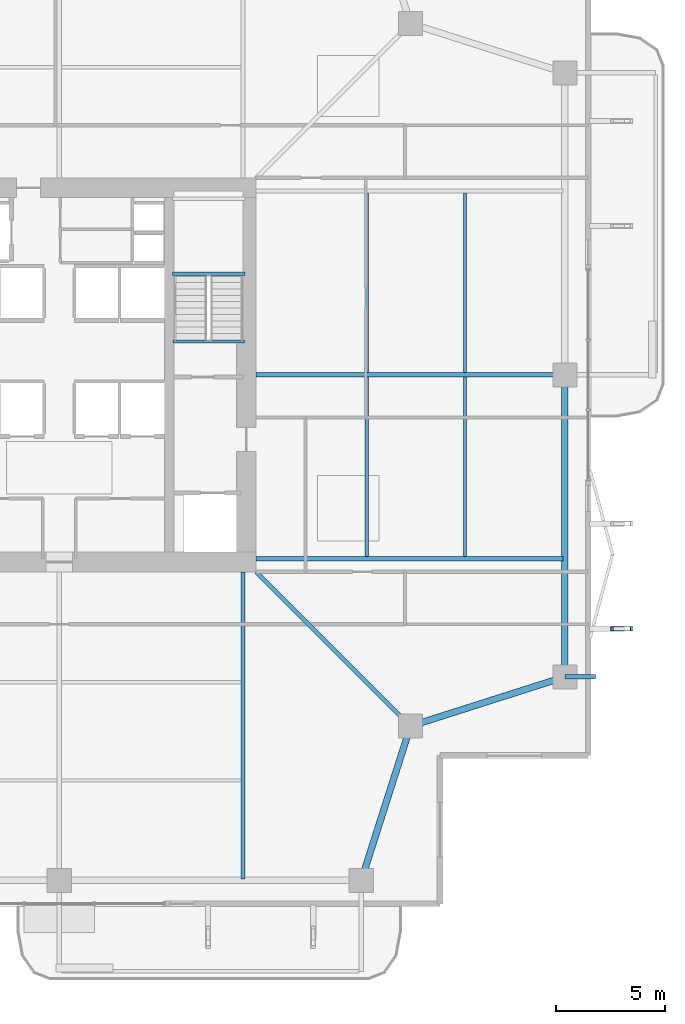
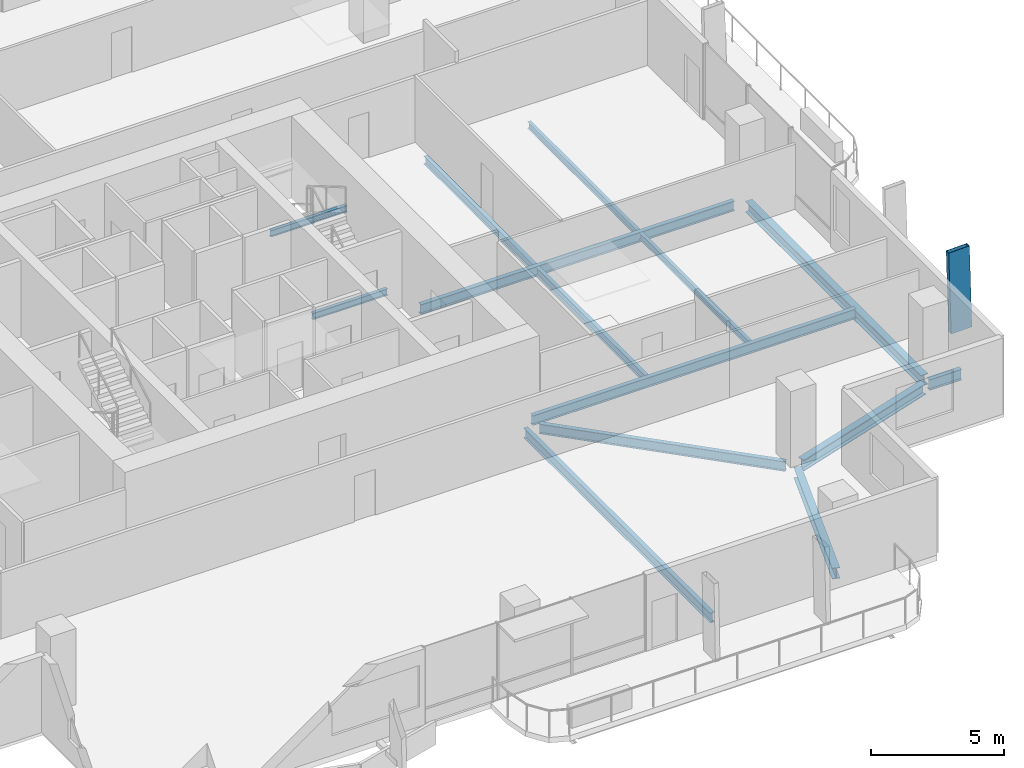
# One storey, part 9 of 25: 14 beams, 1 member.
"""IFC4 building model written with IfcOpenShell, lengths in metres."""

from ifc_helpers import new_model, si_unit, direction, frame, origin, origin_2d, place, context, subcontext, project, spatial, hollow_rectangle, i_section, extrude, material, material_profile, profile_set, type_object, element, save


model = new_model("IFC4")

# Units and contexts
model_context = context("Model", 3, precision=1e-05, world=origin(), true_north=direction((0.0, 1.0)))
body_context = subcontext(model_context, "Body", "Model", "MODEL_VIEW")
ifc_project = project(units=[si_unit("LENGTHUNIT", "METRE"), si_unit("AREAUNIT", "SQUARE_METRE"), si_unit("VOLUMEUNIT", "CUBIC_METRE"), si_unit("PLANEANGLEUNIT", "RADIAN"), si_unit("MASSUNIT", "GRAM", prefix="KILO")], contexts=[model_context])

# Site, building, storey
site_placement = place(None, origin())
site = spatial("IfcSite", under=ifc_project, at=site_placement, CompositionType="ELEMENT")
building_placement = place(site_placement, origin())
building = spatial("IfcBuilding", under=site, at=building_placement, Name="Belovzor Exchange Tower", CompositionType="ELEMENT")
storey_placement = place(building_placement, frame((0.0, 0.0, 153.300048828125)))
storey = spatial("IfcBuildingStorey", under=building, at=storey_placement, Name="L37", CompositionType="ELEMENT", Elevation=153.300048828125)

# Beams
ifc_material_1 = material(Name="Steel S355", Category="steel")
ifc_material_profile_1 = material_profile(ifc_material_1, i_section(OverallWidth=0.199951171875, OverallDepth=0.5, WebThickness=0.01025390625, FlangeThickness=0.01611328125, at=origin_2d()))
ifc_profile_set_1 = profile_set([ifc_material_profile_1], Name="Steel S355")
beam_type_1 = type_object("IfcBeamType", Name="Planted Balcony Cantilever Beam IPE 500", PredefinedType="BEAM", material=ifc_profile_set_1)
beam_1_placement = place(storey_placement, frame((51.89990234375, 15.0, -0.505126953125), z_axis=(1.0, 0.0, 0.0), x_axis=(0.0, 1.0, 0.0)))
element("IfcBeam", 1, at=beam_1_placement, inside=storey, type_object=beam_type_1, Name="BC-500 Planted Balcony Cantilever Beam IPE 500", PredefinedType="BEAM", context=body_context, shape_type="SweptSolid", body=[
    extrude(i_section(OverallWidth=0.199951171875, OverallDepth=0.5, WebThickness=0.01025390625, FlangeThickness=0.01611328125, at=origin_2d()), origin(), (0.0, 0.0, 1.0), 1.400146484375),
])
ifc_material_2 = material(Name="Steel S355", Category="steel")
ifc_material_profile_2 = material_profile(ifc_material_2, i_section(OverallWidth=0.169921875, OverallDepth=0.360107421875, WebThickness=0.008056640625, FlangeThickness=0.0126953125, at=origin_2d()))
ifc_profile_set_2 = profile_set([ifc_material_profile_2], Name="Steel S355")
beam_type_2 = type_object("IfcBeamType", Name="Secondary Infill Floor Joist IPE 360", PredefinedType="BEAM", material=ifc_profile_set_2)
for number, where, z_axis, x_axis, name in (
    (2, (42.84912109375, 20.4951171875, -0.43505859375), (0.0, 1.0, 0.0), (-1.0, 0.0, 0.0), "FJ-360 Secondary Infill Floor Joist IPE 360"),
    (3, (42.84912109375, 28.89501953125, -0.43505859375), (0.0, 1.0, 0.0), (-1.0, 0.0, 0.0), "FJ-360 Secondary Infill Floor Joist IPE 360"),
):
    element("IfcBeam", number, at=place(storey_placement, frame(where, z_axis=z_axis, x_axis=x_axis)), inside=storey, type_object=beam_type_2, Name=name, PredefinedType="BEAM", context=body_context, shape_type="SweptSolid", body=[
        extrude(i_section(OverallWidth=0.169921875, OverallDepth=0.360107421875, WebThickness=0.008056640625, FlangeThickness=0.0126953125, at=origin_2d()), origin(), (0.0, 0.0, 1.0), 8.2099609375),
    ])
ifc_material_3 = material(Name="Steel S355", Category="steel")
ifc_material_profile_3 = material_profile(ifc_material_3, i_section(OverallWidth=0.14990234375, OverallDepth=0.300048828125, WebThickness=0.007080078125, FlangeThickness=0.0107421875, at=origin_2d()))
ifc_profile_set_3 = profile_set([ifc_material_profile_3], Name="Steel S355")
beam_type_3 = type_object("IfcBeamType", Name="Secondary Trim Floor Joist IPE 300", PredefinedType="BEAM", material=ifc_profile_set_3)
beam_2_placement = place(storey_placement, frame((37.280029296875, 33.419921875, 1.52490234375), z_axis=(-1.0, 0.0, 0.0), x_axis=(0.0, -1.0, 0.0)))
element("IfcBeam", 4, at=beam_2_placement, inside=storey, type_object=beam_type_3, Name="FJ-300 Secondary Trim Floor Joist IPE 300", PredefinedType="BEAM", context=body_context, shape_type="SweptSolid", body=[
    extrude(i_section(OverallWidth=0.14990234375, OverallDepth=0.300048828125, WebThickness=0.007080078125, FlangeThickness=0.0107421875, at=origin_2d()), origin(), (0.0, 0.0, 1.0), 3.31005859375),
])
beam_3_placement = place(storey_placement, frame((37.260009765625, 30.320068359375, -0.405029296875), z_axis=(-1.0, 0.0, 0.0), x_axis=(0.0, -1.0, 0.0)))
element("IfcBeam", 5, at=beam_3_placement, inside=storey, type_object=beam_type_3, Name="FJ-300 Secondary Trim Floor Joist IPE 300", PredefinedType="BEAM", context=body_context, shape_type="SweptSolid", body=[
    extrude(i_section(OverallWidth=0.14990234375, OverallDepth=0.300048828125, WebThickness=0.007080078125, FlangeThickness=0.0107421875, at=origin_2d()), origin(), (0.0, 0.0, 1.0), 3.27001953125),
])
for number, where, z_axis, x_axis, name in (
    (6, (47.3369140625, 20.4951171875, -0.405029296875), (0.0, 1.0, 0.0), (-1.0, 0.0, 0.0), "FJ-300 Secondary Trim Floor Joist IPE 300"),
    (7, (47.3369140625, 28.89501953125, -0.405029296875), (0.0, 1.0, 0.0), (-1.0, 0.0, 0.0), "FJ-300 Secondary Trim Floor Joist IPE 300"),
):
    element("IfcBeam", number, at=place(storey_placement, frame(where, z_axis=z_axis, x_axis=x_axis)), inside=storey, type_object=beam_type_3, Name=name, PredefinedType="BEAM", context=body_context, shape_type="SweptSolid", body=[
        extrude(i_section(OverallWidth=0.14990234375, OverallDepth=0.300048828125, WebThickness=0.007080078125, FlangeThickness=0.0107421875, at=origin_2d()), origin(), (0.0, 0.0, 1.0), 8.2099609375),
    ])

# Member
ifc_material_4 = material(Name="Extruded Architectural Terracotta on Steel S355 Carrier", Category="masonry")
ifc_material_profile_4 = material_profile(ifc_material_4, hollow_rectangle(XDim=0.199951171875, YDim=0.89990234375, WallThickness=0.011962890625, at=origin_2d()))
ifc_profile_set_4 = profile_set([ifc_material_profile_4], Name="Extruded Architectural Terracotta on Steel S355 Carrier")
member_type = type_object("IfcMemberType", Name="Sweeping Terracotta Baguette Fin Assembly 1250", PredefinedType="USERDEFINED", material=ifc_profile_set_4)
member_placement = place(storey_placement, frame((54.551025390625, 17.199951171875, -0.255126953125), z_axis=(-0.028764134908, 0.0, 0.999586226667), x_axis=(0.0, -1.0, 0.0)))
element("IfcMember", 8, at=member_placement, inside=storey, type_object=member_type, Name="FIN-TC125 Terracotta Facade Fin L37 E1", ObjectType="FIN", PredefinedType="USERDEFINED", context=body_context, shape_type="SweptSolid", body=[
    extrude(hollow_rectangle(XDim=0.199951171875, YDim=0.89990234375, WallThickness=0.011962890625, at=origin_2d()), origin(), (0.0, 0.0, 1.0), 3.75146484375),
])

# Beams
ifc_material_5 = material(Name="Steel S355", Category="steel")
ifc_material_profile_5 = material_profile(ifc_material_5, i_section(OverallWidth=0.18994140625, OverallDepth=0.449951171875, WebThickness=0.009521484375, FlangeThickness=0.0146484375, at=origin_2d()))
ifc_profile_set_5 = profile_set([ifc_material_profile_5], Name="Steel S355")
beam_type_4 = type_object("IfcBeamType", Name="Zone 2-4 Radial Composite Floor Beam IPE 450", PredefinedType="BEAM", material=ifc_profile_set_5)
beam_4_placement = place(storey_placement, frame((37.199951171875, 19.800048828125, -0.47998046875), z_axis=(0.0, -1.0, 0.0), x_axis=(1.0, 0.0, 0.0)))
element("IfcBeam", 9, at=beam_4_placement, inside=storey, type_object=beam_type_4, Name="FB-450 Zone 2-4 Radial Composite Floor Beam IPE 450", PredefinedType="BEAM", context=body_context, shape_type="SweptSolid", body=[
    extrude(i_section(OverallWidth=0.18994140625, OverallDepth=0.449951171875, WebThickness=0.009521484375, FlangeThickness=0.0146484375, at=origin_2d()), origin(), (0.0, 0.0, 1.0), 14.025146484375),
])
beam_5_placement = place(storey_placement, frame((37.800048828125, 20.39990234375, -0.47998046875), z_axis=(1.0, 0.0, 0.0), x_axis=(0.0, 1.0, 0.0)))
element("IfcBeam", 10, at=beam_5_placement, inside=storey, type_object=beam_type_4, Name="FB-450 Zone 2-4 Radial Composite Floor Beam IPE 450", PredefinedType="BEAM", context=body_context, shape_type="SweptSolid", body=[
    extrude(i_section(OverallWidth=0.18994140625, OverallDepth=0.449951171875, WebThickness=0.009521484375, FlangeThickness=0.0146484375, at=origin_2d()), origin(), (0.0, 0.0, 1.0), 14.02490234375),
])
beam_6_placement = place(storey_placement, frame((37.800048828125, 28.800048828125, -0.47998046875), z_axis=(1.0, 0.0, 0.0), x_axis=(0.0, 1.0, 0.0)))
element("IfcBeam", 11, at=beam_6_placement, inside=storey, type_object=beam_type_4, Name="FB-450 Zone 2-4 Radial Composite Floor Beam IPE 450", PredefinedType="BEAM", context=body_context, shape_type="SweptSolid", body=[
    extrude(i_section(OverallWidth=0.18994140625, OverallDepth=0.449951171875, WebThickness=0.009521484375, FlangeThickness=0.0146484375, at=origin_2d()), origin(), (0.0, 0.0, 1.0), 13.615966796875),
])
beam_7_placement = place(storey_placement, frame((37.800048828125, 19.800048828125, -0.47998046875), z_axis=(0.707094040639, -0.707119521505, 0.0), x_axis=(0.707119521505, 0.707094040639, 0.0)))
element("IfcBeam", 12, at=beam_7_placement, inside=storey, type_object=beam_type_4, Name="FB-450 Zone 2-4 Radial Composite Floor Beam IPE 450", PredefinedType="BEAM", context=body_context, shape_type="SweptSolid", body=[
    extrude(i_section(OverallWidth=0.18994140625, OverallDepth=0.449951171875, WebThickness=0.009521484375, FlangeThickness=0.0146484375, at=origin_2d()), origin(), (0.0, 0.0, 1.0), 9.581298828125),
])
ifc_material_6 = material(Name="Steel S355", Category="steel")
ifc_material_profile_6 = material_profile(ifc_material_6, i_section(OverallWidth=0.300048828125, OverallDepth=0.5, WebThickness=0.014404296875, FlangeThickness=0.028076171875, at=origin_2d()))
ifc_profile_set_6 = profile_set([ifc_material_profile_6], Name="Steel S355")
beam_type_5 = type_object("IfcBeamType", Name="Zone 3 Waist Primary Girder HEB 500", PredefinedType="BEAM", material=ifc_profile_set_6)
for number, where, z_axis, x_axis, name in (
    (13, (42.69189453125, 5.988037109375, -0.505126953125), (0.304044336164, 0.952657882792, 0.0), (-0.952657882792, 0.304044336164, 0.0), "FG-Z3 Zone 3 Waist Primary Girder HEB 500"),
    (14, (45.137939453125, 12.842041015625, -0.505126953125), (0.952671608699, 0.304001325621, 0.0), (-0.304001325621, 0.952671608699, 0.0), "FG-Z3 Zone 3 Waist Primary Girder HEB 500"),
):
    element("IfcBeam", number, at=place(storey_placement, frame(where, z_axis=z_axis, x_axis=x_axis)), inside=storey, type_object=beam_type_5, Name=name, PredefinedType="BEAM", context=body_context, shape_type="SweptSolid", body=[
        extrude(i_section(OverallWidth=0.300048828125, OverallDepth=0.5, WebThickness=0.014404296875, FlangeThickness=0.028076171875, at=origin_2d()), origin(), (0.0, 0.0, 1.0), 6.795654296875),
    ])
beam_8_placement = place(storey_placement, frame((51.89990234375, 15.302978515625, -0.505126953125), z_axis=(0.0, 1.0, 0.0), x_axis=(-1.0, 0.0, 0.0)))
element("IfcBeam", 15, at=beam_8_placement, inside=storey, type_object=beam_type_5, Name="FG-Z3 Zone 3 Waist Primary Girder HEB 500", PredefinedType="BEAM", context=body_context, shape_type="SweptSolid", body=[
    extrude(i_section(OverallWidth=0.300048828125, OverallDepth=0.5, WebThickness=0.014404296875, FlangeThickness=0.028076171875, at=origin_2d()), origin(), (0.0, 0.0, 1.0), 13.195068359375),
])

save(model, "model.ifc")
